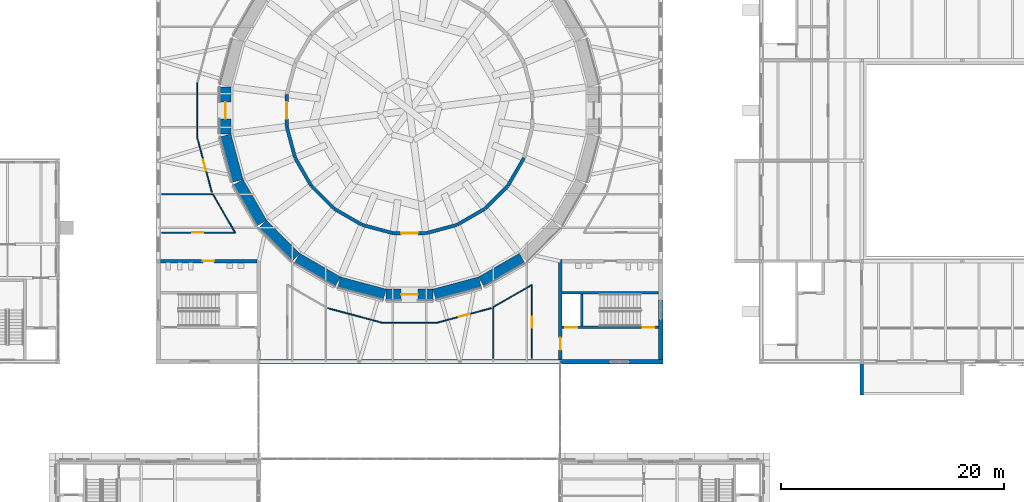
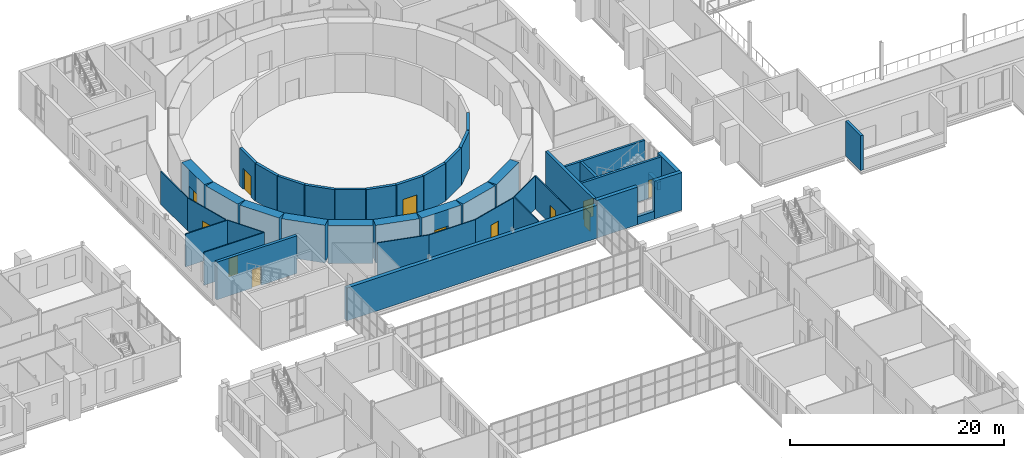
# One storey, part 85 of 131: 43 walls, 12 doors, 12 openings.
"""IFC4 building model written with IfcOpenShell, lengths in metres."""

from ifc_helpers import new_model, si_unit, direction, frame, frame_2d, origin, place, context, subcontext, project, spatial, rectangle, extrude, material, layer, layer_set, type_object, element, fill, save


model = new_model("IFC4")

# Units and contexts
model_context = context("Model", 3, precision=1e-05, world=origin(), true_north=direction((0.0, 1.0)))
body_context = subcontext(model_context, "Body", "Model", "MODEL_VIEW")
ifc_project = project(units=[si_unit("LENGTHUNIT", "METRE"), si_unit("AREAUNIT", "SQUARE_METRE"), si_unit("VOLUMEUNIT", "CUBIC_METRE"), si_unit("PLANEANGLEUNIT", "RADIAN"), si_unit("MASSUNIT", "GRAM", prefix="KILO")], contexts=[model_context])

# Site, building, storey
site_placement = place(None, origin())
site = spatial("IfcSite", under=ifc_project, at=site_placement, CompositionType="ELEMENT")
building_placement = place(site_placement, origin())
building = spatial("IfcBuilding", under=site, at=building_placement, Name="Golden Quay Civic Hall", CompositionType="ELEMENT")
storey_placement = place(building_placement, frame((0.0, 0.0, 9.89990234375)))
storey = spatial("IfcBuildingStorey", under=building, at=storey_placement, Name="L02", CompositionType="ELEMENT", Elevation=9.89990234375)

# Walls
ifc_material_1 = material(Name="Brick, dark clay facing", Category="masonry")
ifc_layer_1 = layer(ifc_material_1, 0.300048828125)
ifc_layer_set_1 = layer_set([ifc_layer_1], Name="Brick loggia wall 300")
wall_type_1 = type_object("IfcWallType", Name="Brick loggia wall 300", PredefinedType="STANDARD", material=ifc_layer_set_1)
wall_1_placement = place(storey_placement, frame((126.0, 62.820068359375, 0.0), z_axis=(0.0, 0.0, 1.0), x_axis=(0.0, -1.0, 0.0)))
element("IfcWall", 1, at=wall_1_placement, inside=storey, type_object=wall_type_1, Name="Brick loggia wall 300 L02 11", PredefinedType="STANDARD", context=body_context, shape_type="SweptSolid", body=[
    extrude(rectangle(XDim=2.820068359375, YDim=0.300048828125, at=frame_2d((1.41015625, 0.0))), origin(), (0.0, 0.0, 1.0), 3.97021484375),
])
ifc_material_2 = material(Name="Plasterboard on steel studs", Category="steel")
ifc_layer_2 = layer(ifc_material_2, 0.10009765625)
ifc_layer_set_2 = layer_set([ifc_layer_2], Name="Partition 100 stud")
wall_type_2 = type_object("IfcWallType", Name="Partition 100 stud", PredefinedType="PARTITIONING", material=ifc_layer_set_2)
for number, where, z_axis, x_axis, name in (
    (2, (93.0, 63.320068359375, 0.0), (0.0, 0.0, 1.0), (0.0, 1.0, 0.0), "Partition 4"),
    (3, (67.890869140625, 78.0, 0.0), (0.0, 0.0, 1.0), (-1.0, 0.0, 0.0), "Partition 10"),
):
    element("IfcWall", number, at=place(storey_placement, frame(where, z_axis=z_axis, x_axis=x_axis)), inside=storey, type_object=wall_type_2, Name=name, PredefinedType="PARTITIONING", context=body_context, shape_type="SweptSolid", body=[
        extrude(rectangle(XDim=4.57080078125, YDim=0.10009765625, at=frame_2d((2.285400390625, 0.0))), origin(), (0.0, 0.0, 1.0), 3.760009765625),
    ])

# Wall, opening, door
ifc_material_3 = material(Name="Gypsum board on steel stud", Category="steel")
ifc_layer_3 = layer(ifc_material_3, 0.10009765625)
ifc_layer_set_3 = layer_set([ifc_layer_3], Name="Partition 100 stud fire EI 60")
wall_type_3 = type_object("IfcWallType", Name="Partition 100 stud fire EI 60", PredefinedType="PARTITIONING", material=ifc_layer_set_3)
wall_2_placement = place(storey_placement, frame((92.833740234375, 67.794921875, 0.0), z_axis=(0.0, 0.0, 1.0), x_axis=(-0.965919949972, -0.258840974822, 0.0)))
wall_2 = element("IfcWall", 4, at=wall_2_placement, inside=storey, type_object=wall_type_3, Name="Partition 5", PredefinedType="PARTITIONING", context=body_context, shape_type="SweptSolid", body=[
    extrude(rectangle(XDim=5.002685546875, YDim=0.10009765625, at=frame_2d((2.50146484375, 0.0))), origin(), (0.0, 0.0, 1.0), 3.760009765625),
])
opening_1_placement = place(wall_2_placement, frame((2.00146484375, 0.0, 0.0)))
opening_1 = element("IfcOpeningElement", 5, at=opening_1_placement, cuts=wall_2, Name="Opening L02-D182", PredefinedType="OPENING", context=body_context, shape_type="SweptSolid", body=[
    extrude(rectangle(XDim=1.0, YDim=2.10009765625, at=frame_2d((0.5, 1.050048828125))), frame((0.0, 0.06005859375, 0.0), z_axis=(0.0, -1.0, 0.0), x_axis=(1.0, 0.0, 0.0)), (0.0, 0.0, 1.0), 0.1201171875),
])
ifc_material_4 = material(Name="Timber", Category="wood")
door_type_1 = type_object("IfcDoorType", Name="Timber fire door FD30S 1000 x 2100", OperationType="SINGLE_SWING_LEFT", PredefinedType="DOOR", material=ifc_material_4)
door_1_placement = place(opening_1_placement, origin())
door_1 = element("IfcDoor", 6, at=door_1_placement, inside=storey, type_object=door_type_1, Name="Door Mayor's Parlour", OperationType="SINGLE_SWING_LEFT", OverallHeight=2.10009765625, OverallWidth=1.0, PredefinedType="DOOR", context=body_context, shape_type="SweptSolid", body=[
    extrude(rectangle(XDim=1.0, YDim=2.10009765625, at=frame_2d((0.5, 1.050048828125))), frame((0.0, 0.02490234375, 0.0), z_axis=(0.0, -1.0, 0.0), x_axis=(1.0, 0.0, 0.0)), (0.0, 0.0, 1.0), 0.050048828125),
])
fill(opening_1, door_1)

# Walls
wall_3_placement = place(storey_placement, frame((88.00146484375, 66.5, 0.0), z_axis=(0.0, 0.0, 1.0), x_axis=(-1.0, 0.0, 0.0)))
element("IfcWall", 7, at=wall_3_placement, inside=storey, type_object=wall_type_3, Name="Partition 6", PredefinedType="PARTITIONING", context=body_context, shape_type="SweptSolid", body=[
    extrude(rectangle(XDim=5.0029296875, YDim=0.10009765625, at=frame_2d((2.50146484375, 0.0))), origin(), (0.0, 0.0, 1.0), 3.760009765625),
])
wall_4_placement = place(storey_placement, frame((82.99853515625, 66.5, 0.0), z_axis=(0.0, 0.0, 1.0), x_axis=(-0.965919949972, 0.258840974822, 0.0)))
element("IfcWall", 8, at=wall_4_placement, inside=storey, type_object=wall_type_3, Name="Partition 7", PredefinedType="PARTITIONING", context=body_context, shape_type="SweptSolid", body=[
    extrude(rectangle(XDim=5.002685546875, YDim=0.10009765625, at=frame_2d((2.50146484375, 0.0))), origin(), (0.0, 0.0, 1.0), 3.760009765625),
])

# Wall, opening, door
wall_5_placement = place(storey_placement, frame((96.449951171875, 63.320068359375, 0.0), z_axis=(0.0, 0.0, 1.0), x_axis=(0.0, 1.0, 0.0)))
wall_5 = element("IfcWall", 9, at=wall_5_placement, inside=storey, type_object=wall_type_3, Name="Partition 8", PredefinedType="PARTITIONING", context=body_context, shape_type="SweptSolid", body=[
    extrude(rectangle(XDim=6.562744140625, YDim=0.10009765625, at=frame_2d((3.28125, 0.0))), origin(), (0.0, 0.0, 1.0), 3.760009765625),
])
opening_2_placement = place(wall_5_placement, frame((2.72119140625, 0.0, 0.0)))
opening_2 = element("IfcOpeningElement", 10, at=opening_2_placement, cuts=wall_5, Name="Opening L02-D183", PredefinedType="OPENING", context=body_context, shape_type="SweptSolid", body=[
    extrude(rectangle(XDim=1.0, YDim=2.10009765625, at=frame_2d((0.5, 1.050048828125))), frame((0.0, 0.06005859375, 0.0), z_axis=(0.0, -1.0, 0.0), x_axis=(1.0, 0.0, 0.0)), (0.0, 0.0, 1.0), 0.1201171875),
])
door_2_placement = place(opening_2_placement, origin())
door_2 = element("IfcDoor", 11, at=door_2_placement, inside=storey, type_object=door_type_1, Name="Door Mayor's Waiting Room", OperationType="SINGLE_SWING_LEFT", OverallHeight=2.10009765625, OverallWidth=1.0, PredefinedType="DOOR", context=body_context, shape_type="SweptSolid", body=[
    extrude(rectangle(XDim=1.0, YDim=2.10009765625, at=frame_2d((0.5, 1.050048828125))), frame((0.0, 0.02490234375, 0.0), z_axis=(0.0, -1.0, 0.0), x_axis=(1.0, 0.0, 0.0)), (0.0, 0.0, 1.0), 0.050048828125),
])
fill(opening_2, door_2)

# Wall
wall_6_placement = place(storey_placement, frame((96.449951171875, 69.8828125, 0.0), z_axis=(0.0, 0.0, 1.0), x_axis=(-0.866022221199, -0.500005512359, 0.0)))
element("IfcWall", 12, at=wall_6_placement, inside=storey, type_object=wall_type_3, Name="Partition 9", PredefinedType="PARTITIONING", context=body_context, shape_type="SweptSolid", body=[
    extrude(rectangle(XDim=4.0068359375, YDim=0.10009765625, at=frame_2d((2.00341796875, 0.0))), origin(), (0.0, 0.0, 1.0), 3.760009765625),
])

# Wall, opening, door
wall_7_placement = place(storey_placement, frame((63.320068359375, 74.550048828125, 0.0), z_axis=(0.0, 0.0, 1.0), x_axis=(1.0, 0.0, 0.0)))
wall_7 = element("IfcWall", 13, at=wall_7_placement, inside=storey, type_object=wall_type_3, Name="Partition 11", PredefinedType="PARTITIONING", context=body_context, shape_type="SweptSolid", body=[
    extrude(rectangle(XDim=6.562744140625, YDim=0.10009765625, at=frame_2d((3.28125, 0.0))), origin(), (0.0, 0.0, 1.0), 3.760009765625),
])
opening_3_placement = place(wall_7_placement, frame((2.72119140625, 0.0, 0.0)))
opening_3 = element("IfcOpeningElement", 14, at=opening_3_placement, cuts=wall_7, Name="Opening L02-D184", PredefinedType="OPENING", context=body_context, shape_type="SweptSolid", body=[
    extrude(rectangle(XDim=1.0, YDim=2.10009765625, at=frame_2d((0.5, 1.050048828125))), frame((0.0, 0.06005859375, 0.0), z_axis=(0.0, -1.0, 0.0), x_axis=(1.0, 0.0, 0.0)), (0.0, 0.0, 1.0), 0.1201171875),
])
door_3_placement = place(opening_3_placement, origin())
door_3 = element("IfcDoor", 15, at=door_3_placement, inside=storey, type_object=door_type_1, Name="Door Members' Writing Room", OperationType="SINGLE_SWING_LEFT", OverallHeight=2.10009765625, OverallWidth=1.0, PredefinedType="DOOR", context=body_context, shape_type="SweptSolid", body=[
    extrude(rectangle(XDim=1.0, YDim=2.10009765625, at=frame_2d((0.5, 1.050048828125))), frame((0.0, 0.02490234375, 0.0), z_axis=(0.0, -1.0, 0.0), x_axis=(1.0, 0.0, 0.0)), (0.0, 0.0, 1.0), 0.050048828125),
])
fill(opening_3, door_3)

# Wall
wall_8_placement = place(storey_placement, frame((69.8828125, 74.550048828125, 0.0), z_axis=(0.0, 0.0, 1.0), x_axis=(-0.500005512359, 0.866022221199, 0.0)))
element("IfcWall", 16, at=wall_8_placement, inside=storey, type_object=wall_type_3, Name="Partition 12", PredefinedType="PARTITIONING", context=body_context, shape_type="SweptSolid", body=[
    extrude(rectangle(XDim=4.0068359375, YDim=0.10009765625, at=frame_2d((2.00341796875, 0.0))), origin(), (0.0, 0.0, 1.0), 3.760009765625),
])

# Wall, opening, door
wall_9_placement = place(storey_placement, frame((67.794921875, 78.166259765625, 0.0), z_axis=(0.0, 0.0, 1.0), x_axis=(-0.258840974822, 0.965919949972, 0.0)))
wall_9 = element("IfcWall", 17, at=wall_9_placement, inside=storey, type_object=wall_type_3, Name="Partition 14", PredefinedType="PARTITIONING", context=body_context, shape_type="SweptSolid", body=[
    extrude(rectangle(XDim=5.002685546875, YDim=0.10009765625, at=frame_2d((2.50146484375, 0.0))), origin(), (0.0, 0.0, 1.0), 3.760009765625),
])
opening_4_placement = place(wall_9_placement, frame((2.00146484375, 0.0, 0.0)))
opening_4 = element("IfcOpeningElement", 18, at=opening_4_placement, cuts=wall_9, Name="Opening L02-D185", PredefinedType="OPENING", context=body_context, shape_type="SweptSolid", body=[
    extrude(rectangle(XDim=1.0, YDim=2.10009765625, at=frame_2d((0.5, 1.050048828125))), frame((0.0, 0.06005859375, 0.0), z_axis=(0.0, -1.0, 0.0), x_axis=(1.0, 0.0, 0.0)), (0.0, 0.0, 1.0), 0.1201171875),
])
door_4_placement = place(opening_4_placement, origin())
door_4 = element("IfcDoor", 19, at=door_4_placement, inside=storey, type_object=door_type_1, Name="Door Members' Committee Room", OperationType="SINGLE_SWING_LEFT", OverallHeight=2.10009765625, OverallWidth=1.0, PredefinedType="DOOR", context=body_context, shape_type="SweptSolid", body=[
    extrude(rectangle(XDim=1.0, YDim=2.10009765625, at=frame_2d((0.5, 1.050048828125))), frame((0.0, 0.02490234375, 0.0), z_axis=(0.0, -1.0, 0.0), x_axis=(1.0, 0.0, 0.0)), (0.0, 0.0, 1.0), 0.050048828125),
])
fill(opening_4, door_4)

# Wall
wall_10_placement = place(storey_placement, frame((66.5, 82.99853515625, 0.0), z_axis=(0.0, 0.0, 1.0), x_axis=(0.0, 1.0, 0.0)))
element("IfcWall", 20, at=wall_10_placement, inside=storey, type_object=wall_type_3, Name="Partition 15", PredefinedType="PARTITIONING", context=body_context, shape_type="SweptSolid", body=[
    extrude(rectangle(XDim=5.0029296875, YDim=0.10009765625, at=frame_2d((2.50146484375, 0.0))), origin(), (0.0, 0.0, 1.0), 3.760009765625),
])

# Wall, opening, door
ifc_material_5 = material(Name="Concrete C40/50", Category="concrete")
ifc_layer_4 = layer(ifc_material_5, 0.300048828125)
ifc_layer_set_4 = layer_set([ifc_layer_4], Name="Reinforced concrete chamber wall 300, Concrete C40/50")
wall_type_4 = type_object("IfcWallType", Name="Reinforced concrete chamber wall 300", PredefinedType="SHEAR", material=ifc_layer_set_4)
wall_11_placement = place(storey_placement, frame((74.5, 86.928466796875, 0.0), z_axis=(0.0, 0.0, 1.0), x_axis=(0.0, -1.0, 0.0)))
wall_11 = element("IfcWall", 21, at=wall_11_placement, inside=storey, type_object=wall_type_4, Name="Chamber wall 12", PredefinedType="SHEAR", context=body_context, shape_type="SweptSolid", body=[
    extrude(rectangle(XDim=2.85693359375, YDim=0.300048828125, at=frame_2d((1.428466796875, 0.0))), origin(), (0.0, 0.0, 1.0), 4.300048828125),
])
opening_5_placement = place(wall_11_placement, frame((0.678466796875, 0.0, 0.0)))
opening_5 = element("IfcOpeningElement", 22, at=opening_5_placement, cuts=wall_11, Name="Opening L02-D178", PredefinedType="OPENING", context=body_context, shape_type="SweptSolid", body=[
    extrude(rectangle(XDim=1.5, YDim=2.39990234375, at=frame_2d((0.75, 1.199951171875))), frame((0.0, 0.159912109375, 0.0), z_axis=(0.0, -1.0, 0.0), x_axis=(1.0, 0.0, 0.0)), (0.0, 0.0, 1.0), 0.320068359375),
])
ifc_material_6 = material(Name="Steel", Category="steel")
door_type_2 = type_object("IfcDoorType", Name="Steel double fire door FD60 1500 x 2400", OperationType="DOUBLE_DOOR_SINGLE_SWING", PredefinedType="DOOR", material=ifc_material_6)
door_5_placement = place(opening_5_placement, origin())
door_5 = element("IfcDoor", 23, at=door_5_placement, inside=storey, type_object=door_type_2, Name="Chamber door", OperationType="DOUBLE_DOOR_SINGLE_SWING", OverallHeight=2.39990234375, OverallWidth=1.5, PredefinedType="DOOR", context=body_context, shape_type="SweptSolid", body=[
    extrude(rectangle(XDim=1.5, YDim=2.39990234375, at=frame_2d((0.75, 1.199951171875))), frame((0.0, 0.02490234375, 0.0), z_axis=(0.0, -1.0, 0.0), x_axis=(1.0, 0.0, 0.0)), (0.0, 0.0, 1.0), 0.050048828125),
])
fill(opening_5, door_5)

# Walls
for number, where, z_axis, x_axis, name in (
    (24, (74.505126953125, 84.03271484375, 0.0), (0.0, 0.0, 1.0), (0.258768834483, -0.965939278785, 0.0), "Chamber wall 13"),
    (25, (75.259521484375, 81.237060546875, 0.0), (0.0, 0.0, 1.0), (0.500008484056, -0.866020505457, 0.0), "Chamber wall 14"),
):
    element("IfcWall", number, at=place(storey_placement, frame(where, z_axis=z_axis, x_axis=x_axis)), inside=storey, type_object=wall_type_4, Name=name, PredefinedType="SHEAR", context=body_context, shape_type="SweptSolid", body=[
        extrude(rectangle(XDim=2.85693359375, YDim=0.300048828125, at=frame_2d((1.428466796875, 0.0))), origin(), (0.0, 0.0, 1.0), 4.300048828125),
    ])
wall_12_placement = place(storey_placement, frame((76.7119140625, 78.73193359375, 0.0), z_axis=(0.0, 0.0, 1.0), x_axis=(0.707106781187, -0.707106781187, 0.0)))
element("IfcWall", 26, at=wall_12_placement, inside=storey, type_object=wall_type_4, Name="Chamber wall 15", PredefinedType="SHEAR", context=body_context, shape_type="SweptSolid", body=[
    extrude(rectangle(XDim=2.856689453125, YDim=0.300048828125, at=frame_2d((1.42822265625, 0.0))), origin(), (0.0, 0.0, 1.0), 4.300048828125),
])
for number, where, z_axis, x_axis, name in (
    (27, (78.762939453125, 76.68798828125, 0.0), (0.0, 0.0, 1.0), (0.866020505457, -0.500008484056, 0.0), "Chamber wall 16"),
    (28, (81.273193359375, 75.244384765625, 0.0), (0.0, 0.0, 1.0), (0.965939278785, -0.258768834483, 0.0), "Chamber wall 17"),
):
    element("IfcWall", number, at=place(storey_placement, frame(where, z_axis=z_axis, x_axis=x_axis)), inside=storey, type_object=wall_type_4, Name=name, PredefinedType="SHEAR", context=body_context, shape_type="SweptSolid", body=[
        extrude(rectangle(XDim=2.85693359375, YDim=0.300048828125, at=frame_2d((1.428466796875, 0.0))), origin(), (0.0, 0.0, 1.0), 4.300048828125),
    ])

# Wall, opening, door
wall_13_placement = place(storey_placement, frame((84.071533203125, 74.5, 0.0), z_axis=(0.0, 0.0, 1.0), x_axis=(1.0, 0.0, 0.0)))
wall_13 = element("IfcWall", 29, at=wall_13_placement, inside=storey, type_object=wall_type_4, Name="Chamber wall 18", PredefinedType="SHEAR", context=body_context, shape_type="SweptSolid", body=[
    extrude(rectangle(XDim=2.85693359375, YDim=0.300048828125, at=frame_2d((1.428466796875, 0.0))), origin(), (0.0, 0.0, 1.0), 4.300048828125),
])
opening_6_placement = place(wall_13_placement, frame((0.678466796875, 0.0, 0.0)))
opening_6 = element("IfcOpeningElement", 30, at=opening_6_placement, cuts=wall_13, Name="Opening L02-D179", PredefinedType="OPENING", context=body_context, shape_type="SweptSolid", body=[
    extrude(rectangle(XDim=1.5, YDim=2.39990234375, at=frame_2d((0.75, 1.199951171875))), frame((0.0, 0.159912109375, 0.0), z_axis=(0.0, -1.0, 0.0), x_axis=(1.0, 0.0, 0.0)), (0.0, 0.0, 1.0), 0.320068359375),
])
door_6_placement = place(opening_6_placement, origin())
door_6 = element("IfcDoor", 31, at=door_6_placement, inside=storey, type_object=door_type_2, Name="Chamber door", OperationType="DOUBLE_DOOR_SINGLE_SWING", OverallHeight=2.39990234375, OverallWidth=1.5, PredefinedType="DOOR", context=body_context, shape_type="SweptSolid", body=[
    extrude(rectangle(XDim=1.5, YDim=2.39990234375, at=frame_2d((0.75, 1.199951171875))), frame((0.0, 0.02490234375, 0.0), z_axis=(0.0, -1.0, 0.0), x_axis=(1.0, 0.0, 0.0)), (0.0, 0.0, 1.0), 0.050048828125),
])
fill(opening_6, door_6)

# Walls
for number, where, z_axis, x_axis, name in (
    (32, (86.96728515625, 74.505126953125, 0.0), (0.0, 0.0, 1.0), (0.965939278785, 0.258768834483, 0.0), "Chamber wall 19"),
    (33, (89.762939453125, 75.259521484375, 0.0), (0.0, 0.0, 1.0), (0.866020505457, 0.500008484056, 0.0), "Chamber wall 20"),
):
    element("IfcWall", number, at=place(storey_placement, frame(where, z_axis=z_axis, x_axis=x_axis)), inside=storey, type_object=wall_type_4, Name=name, PredefinedType="SHEAR", context=body_context, shape_type="SweptSolid", body=[
        extrude(rectangle(XDim=2.85693359375, YDim=0.300048828125, at=frame_2d((1.428466796875, 0.0))), origin(), (0.0, 0.0, 1.0), 4.300048828125),
    ])
wall_14_placement = place(storey_placement, frame((92.26806640625, 76.7119140625, 0.0), z_axis=(0.0, 0.0, 1.0), x_axis=(0.707106781187, 0.707106781187, 0.0)))
element("IfcWall", 34, at=wall_14_placement, inside=storey, type_object=wall_type_4, Name="Chamber wall 21", PredefinedType="SHEAR", context=body_context, shape_type="SweptSolid", body=[
    extrude(rectangle(XDim=2.856689453125, YDim=0.300048828125, at=frame_2d((1.42822265625, 0.0))), origin(), (0.0, 0.0, 1.0), 4.300048828125),
])
wall_15_placement = place(storey_placement, frame((94.31201171875, 78.762939453125, 0.0), z_axis=(0.0, 0.0, 1.0), x_axis=(0.500008484056, 0.866020505457, 0.0)))
element("IfcWall", 35, at=wall_15_placement, inside=storey, type_object=wall_type_4, Name="Chamber wall 22", PredefinedType="SHEAR", context=body_context, shape_type="SweptSolid", body=[
    extrude(rectangle(XDim=2.85693359375, YDim=0.300048828125, at=frame_2d((1.428466796875, 0.0))), origin(), (0.0, 0.0, 1.0), 4.300048828125),
])

# Wall, opening, door
ifc_material_7 = material(Name="Concrete C40/50", Category="concrete")
ifc_layer_5 = layer(ifc_material_7, 0.300048828125)
ifc_layer_set_5 = layer_set([ifc_layer_5], Name="Reinforced concrete core wall 300, Concrete C40/50")
wall_type_5 = type_object("IfcWallType", Name="Reinforced concrete core wall 300", PredefinedType="SHEAR", material=ifc_layer_set_5)
wall_16_placement = place(storey_placement, frame((63.199951171875, 72.0, 0.0), z_axis=(0.0, 0.0, 1.0), x_axis=(1.0, 0.0, 0.0)))
wall_16 = element("IfcWall", 36, at=wall_16_placement, inside=storey, type_object=wall_type_5, Name="Core wall SW B", PredefinedType="SHEAR", context=body_context, shape_type="SweptSolid", body=[
    extrude(rectangle(XDim=8.650146484375, YDim=0.300048828125, at=frame_2d((4.3251953125, 0.0))), origin(), (0.0, 0.0, 1.0), 4.300048828125),
])
opening_7_placement = place(wall_16_placement, frame((3.800048828125, 0.0, 0.0)))
opening_7 = element("IfcOpeningElement", 37, at=opening_7_placement, cuts=wall_16, Name="Opening L02-D165", PredefinedType="OPENING", context=body_context, shape_type="SweptSolid", body=[
    extrude(rectangle(XDim=1.0, YDim=2.10009765625, at=frame_2d((0.5, 1.050048828125))), frame((0.0, 0.159912109375, 0.0), z_axis=(0.0, -1.0, 0.0), x_axis=(1.0, 0.0, 0.0)), (0.0, 0.0, 1.0), 0.320068359375),
])
ifc_material_8 = material(Name="Steel", Category="steel")
door_type_3 = type_object("IfcDoorType", Name="Steel fire door FD60 1000 x 2100", OperationType="SINGLE_SWING_LEFT", PredefinedType="DOOR", material=ifc_material_8)
door_7_placement = place(opening_7_placement, frame((1.0, 0.0, 0.0), z_axis=(0.0, 0.0, 1.0), x_axis=(-1.0, 0.0, 0.0)))
door_7 = element("IfcDoor", 38, at=door_7_placement, inside=storey, type_object=door_type_3, Name="Service door SW", OperationType="SINGLE_SWING_RIGHT", OverallHeight=2.10009765625, OverallWidth=1.0, PredefinedType="DOOR", context=body_context, shape_type="SweptSolid", body=[
    extrude(rectangle(XDim=1.0, YDim=2.10009765625, at=frame_2d((0.5, 1.050048828125))), frame((0.0, 0.025146484375, 0.0), z_axis=(0.0, -1.0, 0.0), x_axis=(1.0, 0.0, 0.0)), (0.0, 0.0, 1.0), 0.050048828125),
])
fill(opening_7, door_7)

wall_17_placement = place(storey_placement, frame((99.0, 63.199951171875, 0.0), z_axis=(0.0, 0.0, 1.0), x_axis=(0.0, 1.0, 0.0)))
wall_17 = element("IfcWall", 39, at=wall_17_placement, inside=storey, type_object=wall_type_5, Name="Core wall SE A", PredefinedType="SHEAR", context=body_context, shape_type="SweptSolid", body=[
    extrude(rectangle(XDim=8.949951171875, YDim=0.300048828125, at=frame_2d((4.47509765625, 0.0))), origin(), (0.0, 0.0, 1.0), 4.300048828125),
])
opening_8_placement = place(wall_17_placement, frame((0.85009765625, 0.0, 0.0)))
opening_8 = element("IfcOpeningElement", 40, at=opening_8_placement, cuts=wall_17, Name="Opening L02-D168", PredefinedType="OPENING", context=body_context, shape_type="SweptSolid", body=[
    extrude(rectangle(XDim=1.10009765625, YDim=2.10009765625, at=frame_2d((0.550048828125, 1.050048828125))), frame((0.0, 0.159912109375, 0.0), z_axis=(0.0, -1.0, 0.0), x_axis=(1.0, 0.0, 0.0)), (0.0, 0.0, 1.0), 0.320068359375),
])
ifc_material_9 = material(Name="Steel", Category="steel")
door_type_4 = type_object("IfcDoorType", Name="Steel fire door FD60 1100 x 2100", OperationType="SINGLE_SWING_LEFT", PredefinedType="DOOR", material=ifc_material_9)
door_8_placement = place(opening_8_placement, origin())
door_8 = element("IfcDoor", 41, at=door_8_placement, inside=storey, type_object=door_type_4, Name="Core lobby door SE", OperationType="SINGLE_SWING_LEFT", OverallHeight=2.10009765625, OverallWidth=1.10009765625, PredefinedType="DOOR", context=body_context, shape_type="SweptSolid", body=[
    extrude(rectangle(XDim=1.10009765625, YDim=2.10009765625, at=frame_2d((0.550048828125, 1.050048828125))), frame((0.0, 0.02490234375, 0.0), z_axis=(0.0, -1.0, 0.0), x_axis=(1.0, 0.0, 0.0)), (0.0, 0.0, 1.0), 0.050048828125),
])
fill(opening_8, door_8)

ifc_material_10 = material(Name="Concrete C40/50", Category="concrete")
ifc_layer_6 = layer(ifc_material_10, 1.0)
ifc_layer_set_6 = layer_set([ifc_layer_6], Name="Reinforced concrete drum wall 1000, Concrete C40/50")
wall_type_6 = type_object("IfcWallType", Name="Reinforced concrete drum wall 1000", PredefinedType="SHEAR", material=ifc_layer_set_6)
wall_18_placement = place(storey_placement, frame((69.0, 87.6064453125, 0.0), z_axis=(0.0, 0.0, 1.0), x_axis=(0.0, -1.0, 0.0)))
wall_18 = element("IfcWall", 42, at=wall_18_placement, inside=storey, type_object=wall_type_6, Name="Council drum wall 12", PredefinedType="SHEAR", context=body_context, shape_type="SweptSolid", body=[
    extrude(rectangle(XDim=4.212890625, YDim=1.0, at=frame_2d((2.1064453125, 0.0))), origin(), (0.0, 0.0, 1.0), 4.300048828125),
])
opening_9_placement = place(wall_18_placement, frame((1.3564453125, 0.0, 0.0)))
opening_9 = element("IfcOpeningElement", 43, at=opening_9_placement, cuts=wall_18, Name="Opening L02-D009", PredefinedType="OPENING", context=body_context, shape_type="SweptSolid", body=[
    extrude(rectangle(XDim=1.5, YDim=2.39990234375, at=frame_2d((0.75, 1.199951171875))), frame((0.0, 0.510009765625, 0.0), z_axis=(0.0, -1.0, 0.0), x_axis=(1.0, 0.0, 0.0)), (0.0, 0.0, 1.0), 1.02001953125),
])
ifc_material_11 = material(Name="Timber", Category="wood")
door_type_5 = type_object("IfcDoorType", Name="Timber chamber door 1500 x 2400", OperationType="DOUBLE_DOOR_SINGLE_SWING", PredefinedType="DOOR", material=ifc_material_11)
door_9_placement = place(opening_9_placement, origin())
door_9 = element("IfcDoor", 44, at=door_9_placement, inside=storey, type_object=door_type_5, Name="Chamber lobby door", OperationType="DOUBLE_DOOR_SINGLE_SWING", OverallHeight=2.39990234375, OverallWidth=1.5, PredefinedType="DOOR", context=body_context, shape_type="SweptSolid", body=[
    extrude(rectangle(XDim=1.5, YDim=2.39990234375, at=frame_2d((0.75, 1.199951171875))), frame((0.0, 0.02490234375, 0.0), z_axis=(0.0, -1.0, 0.0), x_axis=(1.0, 0.0, 0.0)), (0.0, 0.0, 1.0), 0.050048828125),
])
fill(opening_9, door_9)

# Walls
for number, where, z_axis, x_axis, name in (
    (45, (69.01708984375, 83.26416015625, 0.0), (0.0, 0.0, 1.0), (0.258809467323, -0.965928392597, 0.0), "Council drum wall 13"),
    (46, (70.157470703125, 79.07421875, 0.0), (0.0, 0.0, 1.0), (0.500003371769, -0.866023457084, 0.0), "Council drum wall 14"),
    (47, (72.34326171875, 75.322265625, 0.0), (0.0, 0.0, 1.0), (0.707106781187, -0.707106781187, 0.0), "Council drum wall 15"),
    (48, (75.42578125, 72.263916015625, 0.0), (0.0, 0.0, 1.0), (0.866023457084, -0.500003371769, 0.0), "Council drum wall 16"),
    (49, (79.19482421875, 70.107421875, 0.0), (0.0, 0.0, 1.0), (0.965928392597, -0.258809467323, 0.0), "Council drum wall 17"),
):
    element("IfcWall", number, at=place(storey_placement, frame(where, z_axis=z_axis, x_axis=x_axis)), inside=storey, type_object=wall_type_6, Name=name, PredefinedType="SHEAR", context=body_context, shape_type="SweptSolid", body=[
        extrude(rectangle(XDim=4.212890625, YDim=1.0, at=frame_2d((2.1064453125, 0.0))), origin(), (0.0, 0.0, 1.0), 4.300048828125),
    ])

# Wall, opening, door
wall_19_placement = place(storey_placement, frame((83.3935546875, 69.0, 0.0), z_axis=(0.0, 0.0, 1.0), x_axis=(1.0, 0.0, 0.0)))
wall_19 = element("IfcWall", 50, at=wall_19_placement, inside=storey, type_object=wall_type_6, Name="Council drum wall 18", PredefinedType="SHEAR", context=body_context, shape_type="SweptSolid", body=[
    extrude(rectangle(XDim=4.212890625, YDim=1.0, at=frame_2d((2.1064453125, 0.0))), origin(), (0.0, 0.0, 1.0), 4.300048828125),
])
opening_10_placement = place(wall_19_placement, frame((1.3564453125, 0.0, 0.0)))
opening_10 = element("IfcOpeningElement", 51, at=opening_10_placement, cuts=wall_19, Name="Opening L02-D010", PredefinedType="OPENING", context=body_context, shape_type="SweptSolid", body=[
    extrude(rectangle(XDim=1.5, YDim=2.39990234375, at=frame_2d((0.75, 1.199951171875))), frame((0.0, 0.510009765625, 0.0), z_axis=(0.0, -1.0, 0.0), x_axis=(1.0, 0.0, 0.0)), (0.0, 0.0, 1.0), 1.02001953125),
])
door_10_placement = place(opening_10_placement, origin())
door_10 = element("IfcDoor", 52, at=door_10_placement, inside=storey, type_object=door_type_5, Name="Chamber lobby door", OperationType="DOUBLE_DOOR_SINGLE_SWING", OverallHeight=2.39990234375, OverallWidth=1.5, PredefinedType="DOOR", context=body_context, shape_type="SweptSolid", body=[
    extrude(rectangle(XDim=1.5, YDim=2.39990234375, at=frame_2d((0.75, 1.199951171875))), frame((0.0, 0.02490234375, 0.0), z_axis=(0.0, -1.0, 0.0), x_axis=(1.0, 0.0, 0.0)), (0.0, 0.0, 1.0), 0.050048828125),
])
fill(opening_10, door_10)

# Walls
for number, where, z_axis, x_axis, name in (
    (53, (87.73583984375, 69.01708984375, 0.0), (0.0, 0.0, 1.0), (0.965928392597, 0.258809467323, 0.0), "Council drum wall 19"),
    (54, (91.92578125, 70.157470703125, 0.0), (0.0, 0.0, 1.0), (0.866023457084, 0.500003371769, 0.0), "Council drum wall 20"),
):
    element("IfcWall", number, at=place(storey_placement, frame(where, z_axis=z_axis, x_axis=x_axis)), inside=storey, type_object=wall_type_6, Name=name, PredefinedType="SHEAR", context=body_context, shape_type="SweptSolid", body=[
        extrude(rectangle(XDim=4.212890625, YDim=1.0, at=frame_2d((2.1064453125, 0.0))), origin(), (0.0, 0.0, 1.0), 4.300048828125),
    ])

# Wall, openings, doors
ifc_material_12 = material(Name="Concrete C40/50", Category="concrete")
ifc_layer_7 = layer(ifc_material_12, 0.25)
ifc_layer_set_7 = layer_set([ifc_layer_7], Name="Reinforced concrete shaft wall 250, Concrete C40/50")
wall_type_7 = type_object("IfcWallType", Name="Reinforced concrete shaft wall 250", PredefinedType="SHEAR", material=ifc_layer_set_7)
wall_20_placement = place(storey_placement, frame((107.800048828125, 66.074951171875, 0.0), z_axis=(0.0, 0.0, 1.0), x_axis=(-1.0, 0.0, 0.0)))
wall_20 = element("IfcWall", 55, at=wall_20_placement, inside=storey, type_object=wall_type_7, Name="Shaft wall SE 1", PredefinedType="SHEAR", context=body_context, shape_type="SweptSolid", body=[
    extrude(rectangle(XDim=8.650146484375, YDim=0.25, at=frame_2d((4.3251953125, 0.0))), origin(), (0.0, 0.0, 1.0), 4.300048828125),
])
opening_11_placement = place(wall_20_placement, frame((0.39990234375, 0.0, 0.0)))
opening_11 = element("IfcOpeningElement", 56, at=opening_11_placement, cuts=wall_20, Name="Opening L02-D167", PredefinedType="OPENING", context=body_context, shape_type="SweptSolid", body=[
    extrude(rectangle(XDim=1.0, YDim=2.10009765625, at=frame_2d((0.5, 1.050048828125))), frame((0.0, 0.135009765625, 0.0), z_axis=(0.0, -1.0, 0.0), x_axis=(1.0, 0.0, 0.0)), (0.0, 0.0, 1.0), 0.27001953125),
])
opening_12_placement = place(wall_20_placement, frame((7.27490234375, 0.0, 0.0)))
opening_12 = element("IfcOpeningElement", 57, at=opening_12_placement, cuts=wall_20, Name="Opening L02-D170", PredefinedType="OPENING", context=body_context, shape_type="SweptSolid", body=[
    extrude(rectangle(XDim=1.10009765625, YDim=2.10009765625, at=frame_2d((0.550048828125, 1.050048828125))), frame((0.0, 0.135009765625, 0.0), z_axis=(0.0, -1.0, 0.0), x_axis=(1.0, 0.0, 0.0)), (0.0, 0.0, 1.0), 0.27001953125),
])
ifc_material_13 = material(Name="Steel", Category="steel")
door_type_6 = type_object("IfcDoorType", Name="Lift landing door 1100 x 2100", OperationType="SLIDING_TO_LEFT", PredefinedType="DOOR", material=ifc_material_13)
door_11_placement = place(opening_12_placement, origin())
door_11 = element("IfcDoor", 58, at=door_11_placement, inside=storey, type_object=door_type_6, Name="Lift SE landing door", OperationType="SLIDING_TO_LEFT", OverallHeight=2.10009765625, OverallWidth=1.10009765625, PredefinedType="DOOR", context=body_context, shape_type="SweptSolid", body=[
    extrude(rectangle(XDim=1.10009765625, YDim=2.10009765625, at=frame_2d((0.550048828125, 1.050048828125))), frame((0.0, 0.02490234375, 0.0), z_axis=(0.0, -1.0, 0.0), x_axis=(1.0, 0.0, 0.0)), (0.0, 0.0, 1.0), 0.050048828125),
])
fill(opening_12, door_11)
door_12_placement = place(opening_11_placement, frame((1.0, 0.0, 0.0), z_axis=(0.0, 0.0, 1.0), x_axis=(-1.0, 0.0, 0.0)))
door_12 = element("IfcDoor", 59, at=door_12_placement, inside=storey, type_object=door_type_4, Name="Stair door SE", OperationType="SINGLE_SWING_RIGHT", OverallHeight=2.10009765625, OverallWidth=1.0, PredefinedType="DOOR", context=body_context, shape_type="SweptSolid", body=[
    extrude(rectangle(XDim=1.0, YDim=2.10009765625, at=frame_2d((0.5, 1.050048828125))), frame((0.0, 0.025146484375, 0.0), z_axis=(0.0, -1.0, 0.0), x_axis=(1.0, 0.0, 0.0)), (0.0, 0.0, 1.0), 0.050048828125),
])
fill(opening_11, door_12)

# Walls
wall_21_placement = place(storey_placement, frame((107.800048828125, 69.175048828125, 0.0), z_axis=(0.0, 0.0, 1.0), x_axis=(-1.0, 0.0, 0.0)))
element("IfcWall", 60, at=wall_21_placement, inside=storey, type_object=wall_type_7, Name="Shaft wall SE 2", PredefinedType="SHEAR", context=body_context, shape_type="SweptSolid", body=[
    extrude(rectangle(XDim=8.650146484375, YDim=0.25, at=frame_2d((4.3251953125, 0.0))), origin(), (0.0, 0.0, 1.0), 4.300048828125),
])
wall_22_placement = place(storey_placement, frame((100.925048828125, 66.199951171875, 0.0), z_axis=(0.0, 0.0, 1.0), x_axis=(0.0, 1.0, 0.0)))
element("IfcWall", 61, at=wall_22_placement, inside=storey, type_object=wall_type_7, Name="Shaft wall SE 3", PredefinedType="SHEAR", context=body_context, shape_type="SweptSolid", body=[
    extrude(rectangle(XDim=2.85009765625, YDim=0.25, at=frame_2d((1.425048828125, 0.0))), origin(), (0.0, 0.0, 1.0), 4.300048828125),
])
ifc_material_14 = material(Name="Brick masonry with render", Category="masonry")
ifc_layer_8 = layer(ifc_material_14, 0.39990234375)
ifc_layer_set_8 = layer_set([ifc_layer_8], Name="Rendered brick external wall 400 fire EI 120")
wall_type_8 = type_object("IfcWallType", Name="Rendered brick external wall 400 fire EI 120", PredefinedType="STANDARD", material=ifc_layer_set_8)
wall_23_placement = place(storey_placement, frame((99.0, 63.0, 0.0), z_axis=(0.0, 0.0, 1.0), x_axis=(1.0, 0.0, 0.0)))
element("IfcWall", 62, at=wall_23_placement, inside=storey, type_object=wall_type_8, Name="Base wall S 99", PredefinedType="STANDARD", context=body_context, shape_type="SweptSolid", body=[
    extrude(rectangle(XDim=4.39990234375, YDim=0.39990234375, at=frame_2d((2.199951171875, 0.0))), origin(), (0.0, 0.0, 1.0), 4.300048828125),
])
wall_24_placement = place(storey_placement, frame((105.199951171875, 63.0, 0.0), z_axis=(0.0, 0.0, 1.0), x_axis=(1.0, 0.0, 0.0)))
element("IfcWall", 63, at=wall_24_placement, inside=storey, type_object=wall_type_8, Name="Base wall S 99 (beyond the bay)", PredefinedType="STANDARD", context=body_context, shape_type="SweptSolid", body=[
    extrude(rectangle(XDim=3.0, YDim=0.39990234375, at=frame_2d((1.5, 0.0))), origin(), (0.0, 0.0, 1.0), 4.300048828125),
])
wall_25_placement = place(storey_placement, frame((103.39990234375, 63.0, 0.0), z_axis=(0.0, 0.0, 1.0), x_axis=(1.0, 0.0, 0.0)))
element("IfcWall", 64, at=wall_25_placement, inside=storey, type_object=wall_type_8, Name="Base wall S 99 sill", PredefinedType="STANDARD", context=body_context, shape_type="SweptSolid", body=[
    extrude(rectangle(XDim=1.800048828125, YDim=0.39990234375, at=frame_2d((0.89990234375, 0.0))), origin(), (0.0, 0.0, 1.0), 0.900146484375),
])
wall_26_placement = place(storey_placement, frame((108.0, 63.199951171875, 0.0), z_axis=(0.0, 0.0, 1.0), x_axis=(0.0, 1.0, 0.0)))
element("IfcWall", 65, at=wall_26_placement, inside=storey, type_object=wall_type_8, Name="Base wall E 63", PredefinedType="STANDARD", context=body_context, shape_type="SweptSolid", body=[
    extrude(rectangle(XDim=3.525146484375, YDim=0.39990234375, at=frame_2d((1.7626953125, 0.0))), origin(), (0.0, 0.0, 1.0), 4.300048828125),
])
wall_27_placement = place(storey_placement, frame((108.0, 66.72509765625, 0.0), z_axis=(0.0, 0.0, 1.0), x_axis=(0.0, 1.0, 0.0)))
element("IfcWall", 66, at=wall_27_placement, inside=storey, type_object=wall_type_8, Name="Base wall E 63 sill", PredefinedType="STANDARD", context=body_context, shape_type="SweptSolid", body=[
    extrude(rectangle(XDim=1.7998046875, YDim=0.39990234375, at=frame_2d((0.89990234375, 0.0))), origin(), (0.0, 0.0, 1.0), 0.900146484375),
])
ifc_material_15 = material(Name="Brick masonry with render", Category="masonry")
ifc_layer_9 = layer(ifc_material_15, 0.39990234375)
ifc_layer_set_9 = layer_set([ifc_layer_9], Name="Rendered brick hall wall 400 fire EI 120")
wall_type_9 = type_object("IfcWallType", Name="Rendered brick hall wall 400 fire EI 120", PredefinedType="STANDARD", material=ifc_layer_set_9)
wall_28_placement = place(storey_placement, frame((72.0, 63.0, 0.0), z_axis=(0.0, 0.0, 1.0), x_axis=(1.0, 0.0, 0.0)))
element("IfcWall", 67, at=wall_28_placement, inside=storey, type_object=wall_type_9, Name="Base wall S 72", PredefinedType="STANDARD", context=body_context, shape_type="SweptSolid", body=[
    extrude(rectangle(XDim=27.0, YDim=0.39990234375, at=frame_2d((13.5, 0.0))), origin(), (0.0, 0.0, 1.0), 3.760009765625),
])

save(model, "model.ifc")
